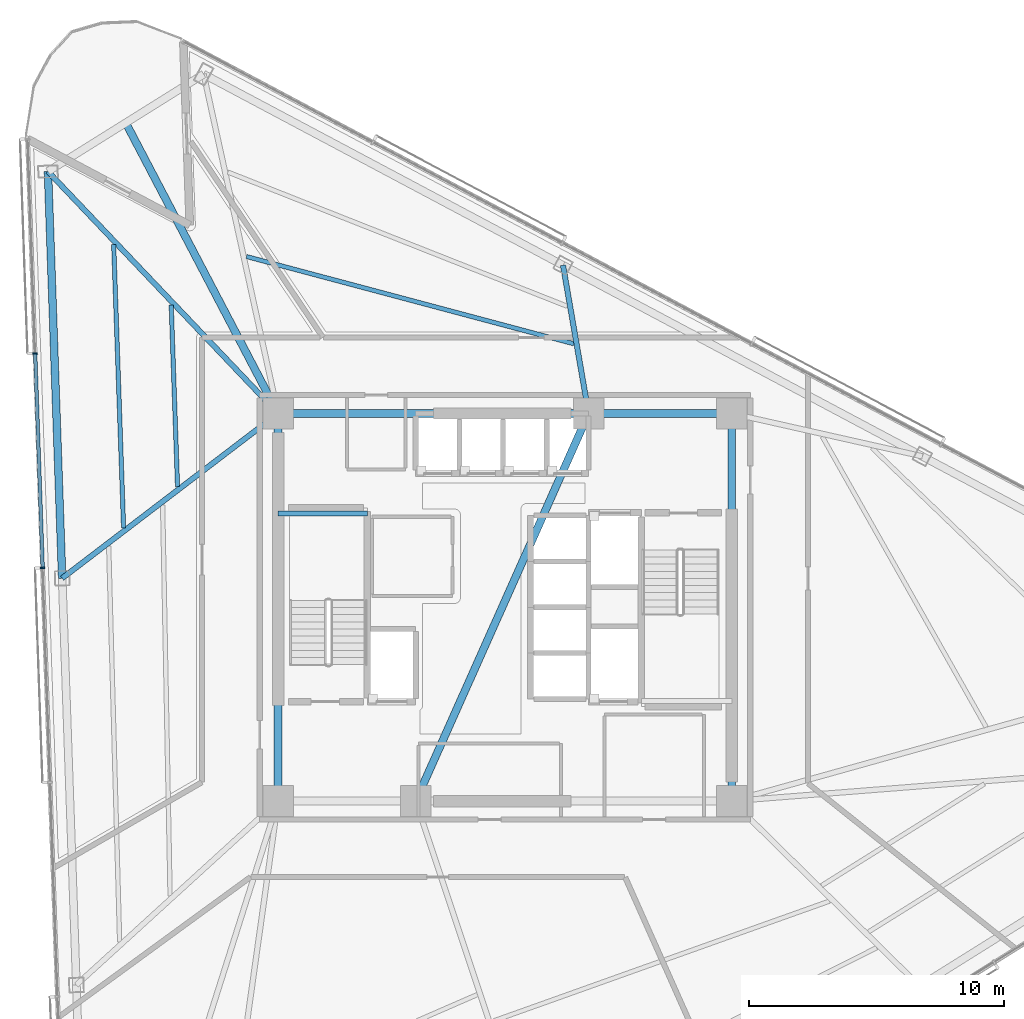
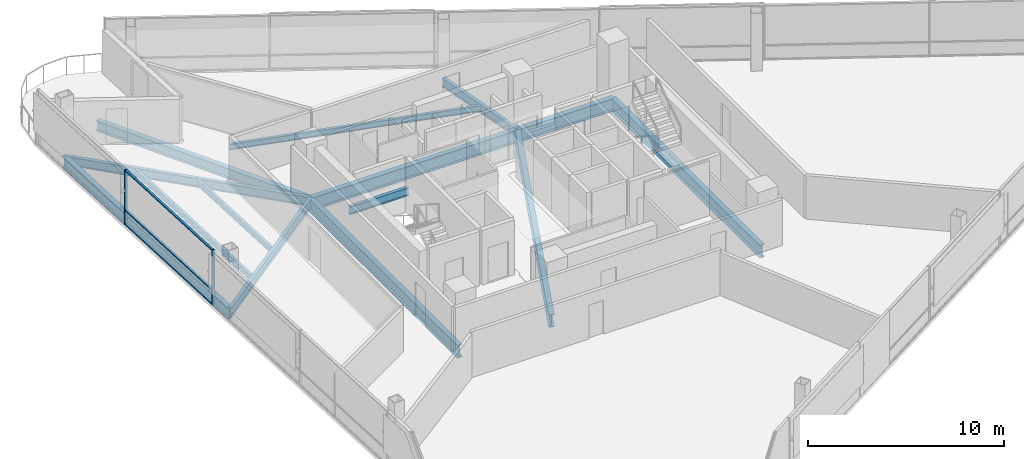
# One storey, part 7 of 18: 14 beams, 5 members, 1 element without a shape of its own.
"""IFC4 building model written with IfcOpenShell, lengths in metres."""

from ifc_helpers import new_model, si_unit, direction, frame, origin, origin_2d, place, context, subcontext, project, spatial, rectangle, i_section, extrude, material, layer, layer_set, material_profile, profile_set, type_object, element, aggregate, save


model = new_model("IFC4")

# Units and contexts
model_context = context("Model", 3, precision=1e-05, world=origin(), true_north=direction((0.0, 1.0)))
body_context = subcontext(model_context, "Body", "Model", "MODEL_VIEW")
ifc_project = project(units=[si_unit("LENGTHUNIT", "METRE"), si_unit("AREAUNIT", "SQUARE_METRE"), si_unit("VOLUMEUNIT", "CUBIC_METRE"), si_unit("PLANEANGLEUNIT", "RADIAN"), si_unit("MASSUNIT", "GRAM", prefix="KILO")], contexts=[model_context])

# Site, building, storey
site_placement = place(None, origin())
site = spatial("IfcSite", under=ifc_project, at=site_placement, CompositionType="ELEMENT")
building_placement = place(site_placement, origin())
building = spatial("IfcBuilding", under=site, at=building_placement, Name="Tharavind Bronze Gate", CompositionType="ELEMENT")
storey_placement = place(building_placement, frame((0.0, 0.0, 153.199951171875)))
storey = spatial("IfcBuildingStorey", under=building, at=storey_placement, Name="L39", CompositionType="ELEMENT", Elevation=153.199951171875)

# Curtain wall, members
ifc_material_1 = material(Name="Anodised Bronze Aluminium", Category="aluminium")
ifc_layer = layer(ifc_material_1, 0.219970703125)
ifc_layer_set = layer_set([ifc_layer], Name="Anodised Bronze Aluminium")
curtain_wall_type = type_object("IfcCurtainWallType", Name="UNITISED CURTAIN WALL MID OFFICE", PredefinedType="USERDEFINED", material=ifc_layer_set)
curtain_wall_placement = place(storey_placement, origin())
curtain_wall = element("IfcCurtainWall", 1, at=curtain_wall_placement, inside=storey, type_object=curtain_wall_type, Name="L39 unitised curtain wall mid office CW-L39-S1", ObjectType="UNITISED CURTAIN WALL", PredefinedType="USERDEFINED")
member_type_1 = type_object("IfcMemberType", Name="CURTAIN WALL BRONZE MULLION 65X180", PredefinedType="MULLION", material=ifc_material_1)
member_1_placement = place(storey_placement, frame((-18.426025390625, 9.955078125, 0.0), z_axis=(0.0, 0.0, 1.0), x_axis=(0.034899496703, -0.999390827019, 0.0)))
member_1 = element("IfcMember", 2, at=member_1_placement, type_object=member_type_1, Name="CW-L39-S1 mullion 2", PredefinedType="MULLION", context=body_context, shape_type="SweptSolid", body=[
    extrude(rectangle(XDim=0.06494140625, YDim=0.179931640625, at=origin_2d()), origin(), (0.0, 0.0, 1.0), 3.409912109375),
])
member_2_placement = place(storey_placement, frame((-18.132568359375, 1.545654296875, 0.0), z_axis=(0.0, 0.0, 1.0), x_axis=(0.034899496703, -0.999390827019, 0.0)))
member_2 = element("IfcMember", 3, at=member_2_placement, type_object=member_type_1, Name="CW-L39-S1 mullion 3", PredefinedType="MULLION", context=body_context, shape_type="SweptSolid", body=[
    extrude(rectangle(XDim=0.06494140625, YDim=0.179931640625, at=origin_2d()), origin(), (0.0, 0.0, 1.0), 3.409912109375),
])
member_type_2 = type_object("IfcMemberType", Name="CURTAIN WALL BRONZE TRANSOM 65X140", PredefinedType="USERDEFINED", material=ifc_material_1)
member_3_placement = place(storey_placement, frame((-18.279296875, 5.750244140625, 0.0), z_axis=(0.0, 0.0, 1.0), x_axis=(0.034899496703, -0.999390827019, 0.0)))
member_3 = element("IfcMember", 4, at=member_3_placement, type_object=member_type_2, Name="CW-L39-S1 transom TB2", ObjectType="TRANSOM", PredefinedType="USERDEFINED", context=body_context, shape_type="SweptSolid", body=[
    extrude(rectangle(XDim=8.361572265625, YDim=0.139892578125, at=origin_2d()), origin(), (0.0, 0.0, 1.0), 0.06494140625),
])
member_4_placement = place(storey_placement, frame((-18.279296875, 5.750244140625, 0.86767578125), z_axis=(0.0, 0.0, 1.0), x_axis=(0.034899496703, -0.999390827019, 0.0)))
member_4 = element("IfcMember", 5, at=member_4_placement, type_object=member_type_2, Name="CW-L39-S1 transom TS2", ObjectType="TRANSOM", PredefinedType="USERDEFINED", context=body_context, shape_type="SweptSolid", body=[
    extrude(rectangle(XDim=8.361572265625, YDim=0.139892578125, at=origin_2d()), origin(), (0.0, 0.0, 1.0), 0.06494140625),
])
member_5_placement = place(storey_placement, frame((-18.279296875, 5.750244140625, 3.344970703125), z_axis=(0.0, 0.0, 1.0), x_axis=(0.034899496703, -0.999390827019, 0.0)))
member_5 = element("IfcMember", 6, at=member_5_placement, type_object=member_type_2, Name="CW-L39-S1 transom TT2", ObjectType="TRANSOM", PredefinedType="USERDEFINED", context=body_context, shape_type="SweptSolid", body=[
    extrude(rectangle(XDim=8.361572265625, YDim=0.139892578125, at=origin_2d()), origin(), (0.0, 0.0, 1.0), 0.06494140625),
])
aggregate(curtain_wall, [member_1, member_2, member_3, member_4, member_5])

# Beams
ifc_material_2 = material(Name="Steel S355", Category="steel")
ifc_material_profile_1 = material_profile(ifc_material_2, i_section(OverallWidth=0.300048828125, OverallDepth=0.64990234375, WebThickness=0.01611328125, FlangeThickness=0.031005859375, at=origin_2d()), Name="HE650B")
ifc_profile_set_1 = profile_set([ifc_material_profile_1], Name="Steel S355")
beam_type_1 = type_object("IfcBeamType", Name="PRIMARY GIRDER HE650B", PredefinedType="USERDEFINED", material=ifc_profile_set_1)
beam_1_placement = place(storey_placement, frame((-8.89990234375, 7.60009765625, -0.514892578125), z_axis=(-0.464055196484, 0.88580628504, 0.0), x_axis=(-0.88580628504, -0.464055196484, 0.0)))
element("IfcBeam", 7, at=beam_1_placement, inside=storey, type_object=beam_type_1, Name="L39 primary girder he650b BM-L39-BLCSB", ObjectType="GIRDER", PredefinedType="USERDEFINED", context=body_context, shape_type="SweptSolid", body=[
    extrude(i_section(OverallWidth=0.300048828125, OverallDepth=0.64990234375, WebThickness=0.01611328125, FlangeThickness=0.031005859375, at=origin_2d()), origin(), (0.0, 0.0, 1.0), 12.86962890625),
])
ifc_material_profile_2 = material_profile(ifc_material_2, i_section(OverallWidth=0.199951171875, OverallDepth=0.5, WebThickness=0.01025390625, FlangeThickness=0.01611328125, at=origin_2d()), Name="IPE500")
ifc_profile_set_2 = profile_set([ifc_material_profile_2], Name="Steel S355")
beam_type_2 = type_object("IfcBeamType", Name="PRIMARY GIRDER IPE500", PredefinedType="USERDEFINED", material=ifc_profile_set_2)
beam_2_placement = place(storey_placement, frame((-8.89990234375, 3.679931640625, 1.35009765625), z_axis=(1.0, 0.0, 0.0), x_axis=(0.0, 1.0, 0.0)))
element("IfcBeam", 8, at=beam_2_placement, inside=storey, type_object=beam_type_2, Name="L39 primary girder ipe500 BM-LD-ST1-L39-1", ObjectType="GIRDER", PredefinedType="USERDEFINED", context=body_context, shape_type="SweptSolid", body=[
    extrude(i_section(OverallWidth=0.199951171875, OverallDepth=0.5, WebThickness=0.01025390625, FlangeThickness=0.01611328125, at=origin_2d()), origin(), (0.0, 0.0, 1.0), 3.5),
])
ifc_material_profile_3 = material_profile(ifc_material_2, i_section(OverallWidth=0.2099609375, OverallDepth=0.550048828125, WebThickness=0.010986328125, FlangeThickness=0.01708984375, at=origin_2d()), Name="IPE550")
ifc_profile_set_3 = profile_set([ifc_material_profile_3], Name="Steel S355")
beam_type_3 = type_object("IfcBeamType", Name="PRIMARY GIRDER IPE550", PredefinedType="USERDEFINED", material=ifc_profile_set_3)
beam_3_placement = place(storey_placement, frame((-17.9248046875, 17.09228515625, -0.46484375), z_axis=(0.689043333113, -0.724720142602, 0.0), x_axis=(0.724720142602, 0.689043333113, 0.0)))
element("IfcBeam", 9, at=beam_3_placement, inside=storey, type_object=beam_type_3, Name="L39 primary girder ipe550 BM-L39-RAD01", ObjectType="GIRDER", PredefinedType="USERDEFINED", context=body_context, shape_type="SweptSolid", body=[
    extrude(i_section(OverallWidth=0.2099609375, OverallDepth=0.550048828125, WebThickness=0.010986328125, FlangeThickness=0.01708984375, at=origin_2d()), origin(), (0.0, 0.0, 1.0), 13.09765625),
])
beam_4_placement = place(storey_placement, frame((-17.367919921875, 1.138916015625, -0.46484375), z_axis=(0.79500796779, 0.6065989871, 0.0), x_axis=(-0.6065989871, 0.79500796779, 0.0)))
element("IfcBeam", 10, at=beam_4_placement, inside=storey, type_object=beam_type_3, Name="L39 primary girder ipe550 BM-L39-RAD02", ObjectType="GIRDER", PredefinedType="USERDEFINED", context=body_context, shape_type="SweptSolid", body=[
    extrude(i_section(OverallWidth=0.2099609375, OverallDepth=0.550048828125, WebThickness=0.010986328125, FlangeThickness=0.01708984375, at=origin_2d()), origin(), (0.0, 0.0, 1.0), 10.6513671875),
])
beam_5_placement = place(storey_placement, frame((2.275634765625, 13.41357421875, -0.46484375), z_axis=(0.170247810627, -0.985401280178, 0.0), x_axis=(0.985401280178, 0.170247810627, 0.0)))
element("IfcBeam", 11, at=beam_5_placement, inside=storey, type_object=beam_type_3, Name="L39 primary girder ipe550 BM-L39-RAD11", ObjectType="GIRDER", PredefinedType="USERDEFINED", context=body_context, shape_type="SweptSolid", body=[
    extrude(i_section(OverallWidth=0.2099609375, OverallDepth=0.550048828125, WebThickness=0.010986328125, FlangeThickness=0.01708984375, at=origin_2d()), origin(), (0.0, 0.0, 1.0), 5.899658203125),
])
ifc_material_profile_4 = material_profile(ifc_material_2, i_section(OverallWidth=0.300048828125, OverallDepth=0.699951171875, WebThickness=0.01708984375, FlangeThickness=0.031982421875, at=origin_2d()), Name="HE700B")
ifc_profile_set_4 = profile_set([ifc_material_profile_4], Name="Steel S355")
beam_type_4 = type_object("IfcBeamType", Name="RING GIRDER HE700B", PredefinedType="USERDEFINED", material=ifc_profile_set_4)
beam_6_placement = place(storey_placement, frame((-17.9248046875, 17.09228515625, -0.5400390625), z_axis=(0.034885784199, -0.999391305776, 0.0), x_axis=(0.999391305776, 0.034885784199, 0.0)))
element("IfcBeam", 12, at=beam_6_placement, inside=storey, type_object=beam_type_4, Name="L39 ring girder he700b BM-L39-PRG01", ObjectType="GIRDER", PredefinedType="USERDEFINED", context=body_context, shape_type="SweptSolid", body=[
    extrude(i_section(OverallWidth=0.300048828125, OverallDepth=0.699951171875, WebThickness=0.01708984375, FlangeThickness=0.031982421875, at=origin_2d()), origin(), (0.0, 0.0, 1.0), 15.963134765625),
])
ifc_material_profile_5 = material_profile(ifc_material_2, i_section(OverallWidth=0.300048828125, OverallDepth=0.800048828125, WebThickness=0.017578125, FlangeThickness=0.032958984375, at=origin_2d()), Name="HE800B")
ifc_profile_set_5 = profile_set([ifc_material_profile_5], Name="Steel S355")
beam_type_5 = type_object("IfcBeamType", Name="RING GIRDER HE800B", PredefinedType="USERDEFINED", material=ifc_profile_set_5)
beam_7_placement = place(storey_placement, frame((8.89990234375, -7.60009765625, -0.58984375), z_axis=(0.0, 1.0, 0.0), x_axis=(-1.0, 0.0, 0.0)))
element("IfcBeam", 13, at=beam_7_placement, inside=storey, type_object=beam_type_5, Name="L39 ring girder he800b BM-L39-CR3", ObjectType="GIRDER", PredefinedType="USERDEFINED", context=body_context, shape_type="SweptSolid", body=[
    extrude(i_section(OverallWidth=0.300048828125, OverallDepth=0.800048828125, WebThickness=0.017578125, FlangeThickness=0.032958984375, at=origin_2d()), origin(), (0.0, 0.0, 1.0), 15.2001953125),
])
beam_8_placement = place(storey_placement, frame((8.89990234375, 7.60009765625, -0.58984375), z_axis=(-1.0, 0.0, 0.0), x_axis=(0.0, -1.0, 0.0)))
element("IfcBeam", 14, at=beam_8_placement, inside=storey, type_object=beam_type_5, Name="L39 ring girder he800b BM-L39-CR4", ObjectType="GIRDER", PredefinedType="USERDEFINED", context=body_context, shape_type="SweptSolid", body=[
    extrude(i_section(OverallWidth=0.300048828125, OverallDepth=0.800048828125, WebThickness=0.017578125, FlangeThickness=0.032958984375, at=origin_2d()), origin(), (0.0, 0.0, 1.0), 5.619873046875),
])
beam_9_placement = place(storey_placement, frame((3.280029296875, 7.60009765625, -0.58984375), z_axis=(-1.0, 0.0, 0.0), x_axis=(0.0, -1.0, 0.0)))
element("IfcBeam", 15, at=beam_9_placement, inside=storey, type_object=beam_type_5, Name="L39 ring girder he800b BM-L39-CR5", ObjectType="GIRDER", PredefinedType="USERDEFINED", context=body_context, shape_type="SweptSolid", body=[
    extrude(i_section(OverallWidth=0.300048828125, OverallDepth=0.800048828125, WebThickness=0.017578125, FlangeThickness=0.032958984375, at=origin_2d()), origin(), (0.0, 0.0, 1.0), 12.179931640625),
])
beam_10_placement = place(storey_placement, frame((-8.89990234375, 7.60009765625, -0.58984375), z_axis=(0.0, -1.0, 0.0), x_axis=(1.0, 0.0, 0.0)))
element("IfcBeam", 16, at=beam_10_placement, inside=storey, type_object=beam_type_5, Name="L39 ring girder he800b BM-L39-CR6", ObjectType="GIRDER", PredefinedType="USERDEFINED", context=body_context, shape_type="SweptSolid", body=[
    extrude(i_section(OverallWidth=0.300048828125, OverallDepth=0.800048828125, WebThickness=0.017578125, FlangeThickness=0.032958984375, at=origin_2d()), origin(), (0.0, 0.0, 1.0), 15.2001953125),
])
beam_11_placement = place(storey_placement, frame((-3.5, -7.60009765625, -0.58984375), z_axis=(0.407361644566, 0.913266932795, 0.0), x_axis=(-0.913266932795, 0.407361644566, 0.0)))
element("IfcBeam", 17, at=beam_11_placement, inside=storey, type_object=beam_type_5, Name="L39 ring girder he800b BM-L39-CR7", ObjectType="GIRDER", PredefinedType="USERDEFINED", context=body_context, shape_type="SweptSolid", body=[
    extrude(i_section(OverallWidth=0.300048828125, OverallDepth=0.800048828125, WebThickness=0.017578125, FlangeThickness=0.032958984375, at=origin_2d()), origin(), (0.0, 0.0, 1.0), 16.643798828125),
])
ifc_material_profile_6 = material_profile(ifc_material_2, i_section(OverallWidth=0.169921875, OverallDepth=0.360107421875, WebThickness=0.008056640625, FlangeThickness=0.0126953125, at=origin_2d()), Name="IPE360")
ifc_profile_set_6 = profile_set([ifc_material_profile_6], Name="Steel S355")
beam_type_6 = type_object("IfcBeamType", Name="SECONDARY FLOOR JOIST IPE360", PredefinedType="JOIST", material=ifc_profile_set_6)
beam_12_placement = place(storey_placement, frame((-13.0908203125, 11.851806640625, -0.369873046875), z_axis=(0.034868084792, -0.999391923453, 0.0), x_axis=(0.999391923453, 0.034868084792, 0.0)))
element("IfcBeam", 18, at=beam_12_placement, inside=storey, type_object=beam_type_6, Name="L39 secondary floor joist ipe360 BM-L39-JSTA01", PredefinedType="JOIST", context=body_context, shape_type="SweptSolid", body=[
    extrude(i_section(OverallWidth=0.169921875, OverallDepth=0.360107421875, WebThickness=0.008056640625, FlangeThickness=0.0126953125, at=origin_2d()), origin(), (0.0, 0.0, 1.0), 7.1279296875),
])
beam_13_placement = place(storey_placement, frame((-15.34716796875, 14.224853515625, -0.369873046875), z_axis=(0.034913008406, -0.999390355089, 0.0), x_axis=(0.999390355089, 0.034913008406, 0.0)))
element("IfcBeam", 19, at=beam_13_placement, inside=storey, type_object=beam_type_6, Name="L39 secondary floor joist ipe360 BM-L39-JSTB01", PredefinedType="JOIST", context=body_context, shape_type="SweptSolid", body=[
    extrude(i_section(OverallWidth=0.169921875, OverallDepth=0.360107421875, WebThickness=0.008056640625, FlangeThickness=0.0126953125, at=origin_2d()), origin(), (0.0, 0.0, 1.0), 11.11865234375),
])
beam_14_placement = place(storey_placement, frame((2.697509765625, 10.333984375, -0.369873046875), z_axis=(-0.966245614019, 0.257622618162, 0.0), x_axis=(-0.257622618162, -0.966245614019, 0.0)))
element("IfcBeam", 20, at=beam_14_placement, inside=storey, type_object=beam_type_6, Name="L39 secondary floor joist ipe360 BM-L39-JSTA11", PredefinedType="JOIST", context=body_context, shape_type="SweptSolid", body=[
    extrude(i_section(OverallWidth=0.169921875, OverallDepth=0.360107421875, WebThickness=0.008056640625, FlangeThickness=0.0126953125, at=origin_2d()), origin(), (0.0, 0.0, 1.0), 13.285400390625),
])

save(model, "model.ifc")
